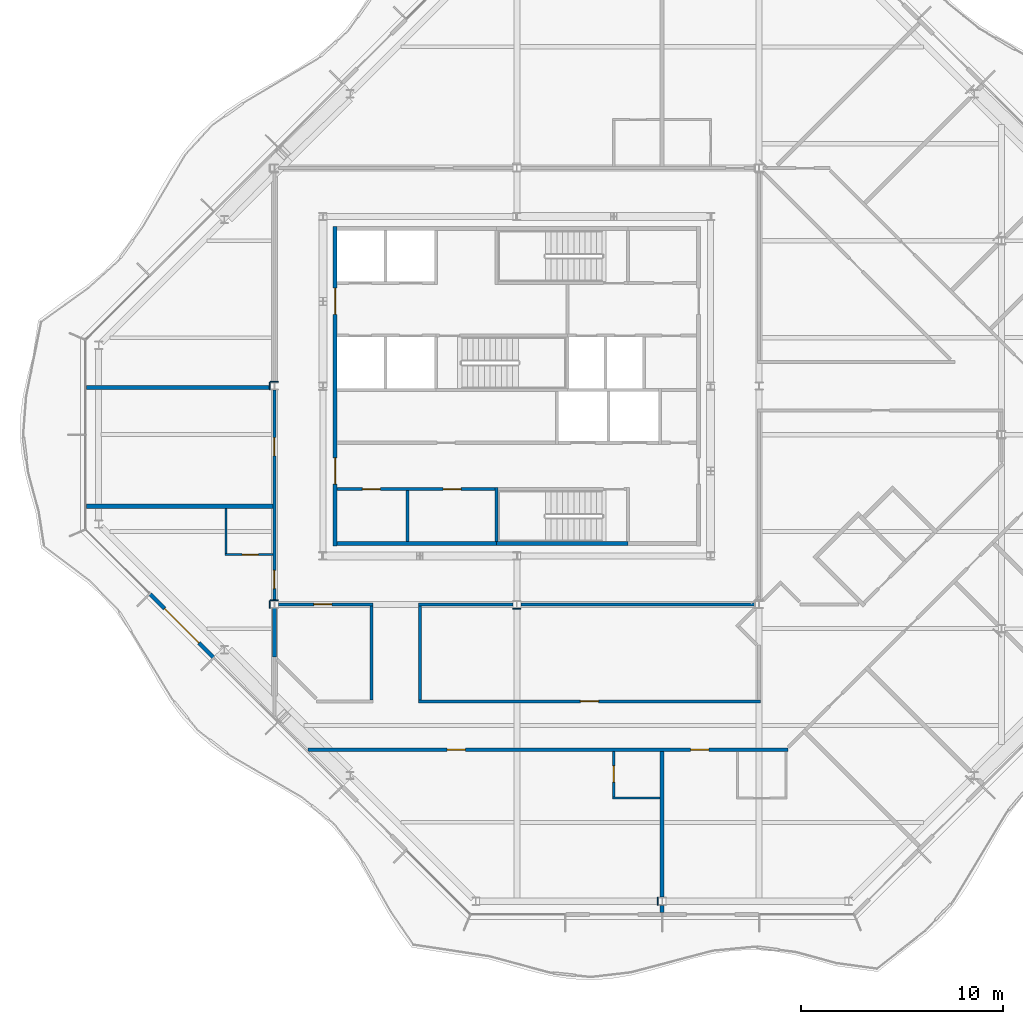
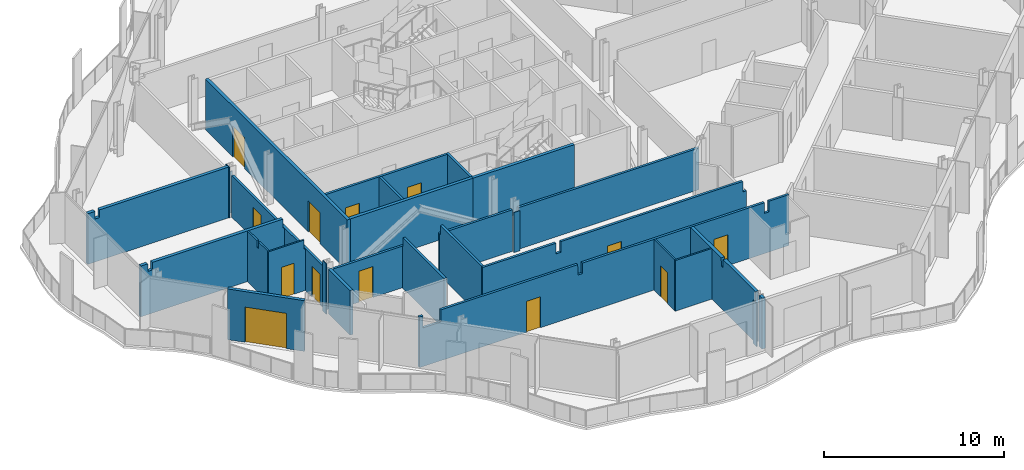
# One storey, part 7 of 17: 30 walls, 13 doors, 13 openings.
"""IFC4 building model written with IfcOpenShell, lengths in metres."""

from ifc_helpers import new_model, si_unit, direction, frame, frame_2d, origin, place, context, subcontext, project, spatial, polyline, rectangle, outline, extrude, material, layer, layer_set, type_object, element, fill, save


model = new_model("IFC4")

# Units and contexts
model_context = context("Model", 3, precision=1e-05, world=origin(), true_north=direction((0.0, 1.0)))
body_context = subcontext(model_context, "Body", "Model", "MODEL_VIEW")
ifc_project = project(units=[si_unit("LENGTHUNIT", "METRE"), si_unit("AREAUNIT", "SQUARE_METRE"), si_unit("VOLUMEUNIT", "CUBIC_METRE"), si_unit("PLANEANGLEUNIT", "RADIAN"), si_unit("MASSUNIT", "GRAM", prefix="KILO")], contexts=[model_context])

# Site, building, storey
site_placement = place(None, origin())
site = spatial("IfcSite", under=ifc_project, at=site_placement, CompositionType="ELEMENT")
building_placement = place(site_placement, origin())
building = spatial("IfcBuilding", under=site, at=building_placement, Name="Cairn Pilgrim Tower", CompositionType="ELEMENT")
storey_placement = place(building_placement, frame((0.0, 0.0, 246.60009765625)))
storey = spatial("IfcBuildingStorey", under=building, at=storey_placement, Name="L63", CompositionType="ELEMENT", Elevation=246.60009765625)

# Wall, opening, door
ifc_material_1 = material(Name="Bronze anodised aluminium insulated sandwich panel with mineral wool fill", Category="aluminium")
ifc_layer_1 = layer(ifc_material_1, 0.199951171875)
ifc_layer_set_1 = layer_set([ifc_layer_1], Name="BRONZE INFILL FRAME WALL 200")
wall_type_1 = type_object("IfcWallType", Name="BRONZE INFILL FRAME WALL 200", PredefinedType="NOTDEFINED", material=ifc_layer_set_1)
wall_1_placement = place(storey_placement, frame((-10.953125, -7.893310546875, 0.0), z_axis=(0.0, 0.0, 1.0), x_axis=(0.707106781187, -0.707106781187, 0.0)))
wall_1 = element("IfcWall", 1, at=wall_1_placement, inside=storey, type_object=wall_type_1, Name="Bronze infill frame wall IW-SW2", PredefinedType="NOTDEFINED", context=body_context, shape_type="SweptSolid", body=[
    extrude(rectangle(XDim=4.430908203125, YDim=0.199951171875, at=frame_2d((2.21533203125, 0.0))), origin(), (0.0, 0.0, 1.0), 3.449951171875),
])
opening_1_placement = place(wall_1_placement, frame((1.015380859375, 0.0, 0.0)))
opening_1 = element("IfcOpeningElement", 2, at=opening_1_placement, cuts=wall_1, Name="Opening 6314B", PredefinedType="OPENING", context=body_context, shape_type="SweptSolid", body=[
    extrude(rectangle(XDim=2.39990234375, YDim=2.39990234375, at=frame_2d((1.199951171875, 1.199951171875))), frame((0.0, 0.10986328125, 0.0), z_axis=(0.0, -1.0, 0.0), x_axis=(1.0, 0.0, 0.0)), (0.0, 0.0, 1.0), 0.219970703125),
])
ifc_material_2 = material(Name="Bronze anodised aluminium frame with tinted low-E glass", Category="aluminium")
door_type_1 = type_object("IfcDoorType", Name="BALCONY SLIDING DOOR 2400x2400", OperationType="DOUBLE_DOOR_SLIDING", PredefinedType="DOOR", material=ifc_material_2)
door_1_placement = place(opening_1_placement, origin())
door_1 = element("IfcDoor", 3, at=door_1_placement, inside=storey, type_object=door_type_1, Name="Balcony sliding door 6314B", OperationType="SINGLE_SWING_LEFT", OverallHeight=2.39990234375, OverallWidth=2.39990234375, PredefinedType="DOOR", context=body_context, shape_type="SweptSolid", body=[
    extrude(rectangle(XDim=2.39990234375, YDim=2.39990234375, at=frame_2d((1.199951171875, 1.199951171875))), frame((0.0, 0.02490234375, 0.0), z_axis=(0.0, -1.0, 0.0), x_axis=(1.0, 0.0, 0.0)), (0.0, 0.0, 1.0), 0.050048828125),
])
fill(opening_1, door_1)

# Wall
ifc_material_3 = material(Name="Concrete C32/40", Category="concrete")
ifc_layer_2 = layer(ifc_material_3, 0.199951171875)
ifc_layer_set_2 = layer_set([ifc_layer_2], Name="CORE OUTER WALL 200 EI 120")
wall_type_2 = type_object("IfcWallType", Name="CORE OUTER WALL 200 EI 120", PredefinedType="SOLIDWALL", material=ifc_layer_set_2)
wall_2_placement = place(storey_placement, frame((-1.699951171875, -5.39990234375, 0.0), z_axis=(0.0, 0.0, 1.0), x_axis=(1.0, 0.0, 0.0)))
element("IfcWall", 4, at=wall_2_placement, inside=storey, type_object=wall_type_2, Name="CW:L63:H01-1", PredefinedType="SOLIDWALL", context=body_context, shape_type="SweptSolid", body=[
    extrude(rectangle(XDim=7.89990234375, YDim=0.199951171875, at=frame_2d((3.949951171875, 0.0))), origin(), (0.0, 0.0, 1.0), 3.449951171875),
])

# Wall, openings, doors
wall_3_placement = place(storey_placement, frame((-1.800048828125, -5.5, 0.0), z_axis=(0.0, 0.0, 1.0), x_axis=(0.0, 1.0, 0.0)))
wall_3 = element("IfcWall", 5, at=wall_3_placement, inside=storey, type_object=wall_type_2, Name="CW:L63:V13", PredefinedType="SOLIDWALL", context=body_context, shape_type="SweptSolid", body=[
    extrude(rectangle(XDim=15.800048828125, YDim=0.199951171875, at=frame_2d((7.89990234375, 0.0))), origin(), (0.0, 0.0, 1.0), 3.449951171875),
])
opening_2_placement = place(wall_3_placement, frame((3.050048828125, 0.0, 0.0)))
opening_2 = element("IfcOpeningElement", 6, at=opening_2_placement, cuts=wall_3, Name="Opening CD-W1", PredefinedType="OPENING", context=body_context, shape_type="SweptSolid", body=[
    extrude(rectangle(XDim=1.300048828125, YDim=2.10009765625, at=frame_2d((0.64990234375, 1.050048828125))), frame((0.0, 0.10986328125, 0.0), z_axis=(0.0, -1.0, 0.0), x_axis=(1.0, 0.0, 0.0)), (0.0, 0.0, 1.0), 0.219970703125),
])
opening_3_placement = place(wall_3_placement, frame((11.449951171875, 0.0, 0.0)))
opening_3 = element("IfcOpeningElement", 7, at=opening_3_placement, cuts=wall_3, Name="Opening CD-W2", PredefinedType="OPENING", context=body_context, shape_type="SweptSolid", body=[
    extrude(rectangle(XDim=1.300048828125, YDim=2.10009765625, at=frame_2d((0.64990234375, 1.050048828125))), frame((0.0, 0.10986328125, 0.0), z_axis=(0.0, -1.0, 0.0), x_axis=(1.0, 0.0, 0.0)), (0.0, 0.0, 1.0), 0.219970703125),
])
ifc_material_4 = material(Name="Painted steel", Category="steel")
door_type_2 = type_object("IfcDoorType", Name="CORE LOBBY DOOR 1300x2100", OperationType="DOUBLE_DOOR_SINGLE_SWING", PredefinedType="DOOR", material=ifc_material_4)
door_2_placement = place(opening_2_placement, origin())
door_2 = element("IfcDoor", 8, at=door_2_placement, inside=storey, type_object=door_type_2, Name="CD-W1", OperationType="DOUBLE_DOOR_SINGLE_SWING", OverallHeight=2.10009765625, OverallWidth=1.300048828125, PredefinedType="DOOR", context=body_context, shape_type="SweptSolid", body=[
    extrude(rectangle(XDim=1.300048828125, YDim=2.10009765625, at=frame_2d((0.64990234375, 1.050048828125))), frame((0.0, 0.02490234375, 0.0), z_axis=(0.0, -1.0, 0.0), x_axis=(1.0, 0.0, 0.0)), (0.0, 0.0, 1.0), 0.050048828125),
])
fill(opening_2, door_2)
door_3_placement = place(opening_3_placement, origin())
door_3 = element("IfcDoor", 9, at=door_3_placement, inside=storey, type_object=door_type_2, Name="CD-W2", OperationType="DOUBLE_DOOR_SINGLE_SWING", OverallHeight=2.10009765625, OverallWidth=1.300048828125, PredefinedType="DOOR", context=body_context, shape_type="SweptSolid", body=[
    extrude(rectangle(XDim=1.300048828125, YDim=2.10009765625, at=frame_2d((0.64990234375, 1.050048828125))), frame((0.0, 0.02490234375, 0.0), z_axis=(0.0, -1.0, 0.0), x_axis=(1.0, 0.0, 0.0)), (0.0, 0.0, 1.0), 0.050048828125),
])
fill(opening_3, door_3)

ifc_layer_3 = layer(ifc_material_3, 0.14990234375)
ifc_layer_set_3 = layer_set([ifc_layer_3], Name="CORE PARTITION 150 EI 60")
wall_type_3 = type_object("IfcWallType", Name="CORE PARTITION 150 EI 60", PredefinedType="PARTITIONING", material=ifc_layer_set_3)
wall_4_placement = place(storey_placement, frame((-1.699951171875, -2.699951171875, 0.0), z_axis=(0.0, 0.0, 1.0), x_axis=(1.0, 0.0, 0.0)))
wall_4 = element("IfcWall", 10, at=wall_4_placement, inside=storey, type_object=wall_type_3, Name="CW:L63:H02", PredefinedType="PARTITIONING", context=body_context, shape_type="SweptSolid", body=[
    extrude(rectangle(XDim=7.824951171875, YDim=0.14990234375, at=frame_2d((3.91259765625, 0.0))), origin(), (0.0, 0.0, 1.0), 3.449951171875),
])
opening_4_placement = place(wall_4_placement, frame((1.25, 0.0, 0.0)))
opening_4 = element("IfcOpeningElement", 11, at=opening_4_placement, cuts=wall_4, Name="Opening RD-R1W1", PredefinedType="OPENING", context=body_context, shape_type="SweptSolid", body=[
    extrude(rectangle(XDim=0.89990234375, YDim=2.10009765625, at=frame_2d((0.449951171875, 1.050048828125))), frame((0.0, 0.0849609375, 0.0), z_axis=(0.0, -1.0, 0.0), x_axis=(1.0, 0.0, 0.0)), (0.0, 0.0, 1.0), 0.169921875),
])
opening_5_placement = place(wall_4_placement, frame((5.25, 0.0, 0.0)))
opening_5 = element("IfcOpeningElement", 12, at=opening_5_placement, cuts=wall_4, Name="Opening RD-R1W2", PredefinedType="OPENING", context=body_context, shape_type="SweptSolid", body=[
    extrude(rectangle(XDim=0.89990234375, YDim=2.10009765625, at=frame_2d((0.449951171875, 1.050048828125))), frame((0.0, 0.0849609375, 0.0), z_axis=(0.0, -1.0, 0.0), x_axis=(1.0, 0.0, 0.0)), (0.0, 0.0, 1.0), 0.169921875),
])
door_type_3 = type_object("IfcDoorType", Name="SERVICE ROOM DOOR 900x2100", OperationType="SINGLE_SWING_LEFT", PredefinedType="DOOR", material=ifc_material_4)
door_4_placement = place(opening_4_placement, origin())
door_4 = element("IfcDoor", 13, at=door_4_placement, inside=storey, type_object=door_type_3, Name="RD-R1W1", OperationType="SINGLE_SWING_RIGHT", OverallHeight=2.10009765625, OverallWidth=0.89990234375, PredefinedType="DOOR", context=body_context, shape_type="SweptSolid", body=[
    extrude(rectangle(XDim=0.89990234375, YDim=2.10009765625, at=frame_2d((0.449951171875, 1.050048828125))), frame((0.0, 0.02490234375, 0.0), z_axis=(0.0, -1.0, 0.0), x_axis=(1.0, 0.0, 0.0)), (0.0, 0.0, 1.0), 0.050048828125),
])
fill(opening_4, door_4)
door_5_placement = place(opening_5_placement, origin())
door_5 = element("IfcDoor", 14, at=door_5_placement, inside=storey, type_object=door_type_3, Name="RD-R1W2", OperationType="SINGLE_SWING_LEFT", OverallHeight=2.10009765625, OverallWidth=0.89990234375, PredefinedType="DOOR", context=body_context, shape_type="SweptSolid", body=[
    extrude(rectangle(XDim=0.89990234375, YDim=2.10009765625, at=frame_2d((0.449951171875, 1.050048828125))), frame((0.0, 0.02490234375, 0.0), z_axis=(0.0, -1.0, 0.0), x_axis=(1.0, 0.0, 0.0)), (0.0, 0.0, 1.0), 0.050048828125),
])
fill(opening_5, door_5)

# Walls
wall_5_placement = place(storey_placement, frame((1.800048828125, -5.300048828125, 0.0), z_axis=(0.0, 0.0, 1.0), x_axis=(0.0, 1.0, 0.0)))
element("IfcWall", 15, at=wall_5_placement, inside=storey, type_object=wall_type_3, Name="CW:L63:V16", PredefinedType="PARTITIONING", context=body_context, shape_type="SweptSolid", body=[
    extrude(rectangle(XDim=2.525146484375, YDim=0.14990234375, at=frame_2d((1.2626953125, 0.0))), origin(), (0.0, 0.0, 1.0), 3.449951171875),
])
ifc_material_5 = material(Name="Gypsum partition")
ifc_layer_4 = layer(ifc_material_5, 0.10009765625)
ifc_layer_set_4 = layer_set([ifc_layer_4], Name="PARTITION 100 DRYWALL")
wall_type_4 = type_object("IfcWallType", Name="PARTITION 100 DRYWALL", PredefinedType="PARTITIONING", material=ifc_layer_set_4)
wall_6_placement = place(storey_placement, frame((11.949951171875, -18.0, 0.0), z_axis=(0.0, 0.0, 1.0), x_axis=(1.0, 0.0, 0.0)))
element("IfcWall", 16, at=wall_6_placement, inside=storey, type_object=wall_type_4, Name="PARTITION W004", PredefinedType="PARTITIONING", context=body_context, shape_type="SweptSolid", body=[
    extrude(rectangle(XDim=2.35009765625, YDim=0.10009765625, at=frame_2d((1.175048828125, 0.0))), origin(), (0.0, 0.0, 1.0), 3.449951171875),
])

# Wall, opening, door
wall_7_placement = place(storey_placement, frame((12.0, -17.949951171875, 0.0), z_axis=(0.0, 0.0, 1.0), x_axis=(0.0, 1.0, 0.0)))
wall_7 = element("IfcWall", 17, at=wall_7_placement, inside=storey, type_object=wall_type_4, Name="PARTITION W006", PredefinedType="PARTITIONING", context=body_context, shape_type="SweptSolid", body=[
    extrude(rectangle(XDim=2.27490234375, YDim=0.10009765625, at=frame_2d((1.137451171875, 0.0))), origin(), (0.0, 0.0, 1.0), 3.449951171875),
])
opening_6_placement = place(wall_7_placement, frame((0.75, 0.0, 0.0)))
opening_6 = element("IfcOpeningElement", 18, at=opening_6_placement, cuts=wall_7, Name="Opening 6315A", PredefinedType="OPENING", context=body_context, shape_type="SweptSolid", body=[
    extrude(rectangle(XDim=0.800048828125, YDim=2.10009765625, at=frame_2d((0.39990234375, 1.050048828125))), frame((0.0, 0.06005859375, 0.0), z_axis=(0.0, -1.0, 0.0), x_axis=(1.0, 0.0, 0.0)), (0.0, 0.0, 1.0), 0.1201171875),
])
ifc_material_6 = material(Name="Timber door leaf", Category="wood")
door_type_4 = type_object("IfcDoorType", Name="WC DOOR 800x2100", OperationType="NOTDEFINED", PredefinedType="DOOR", material=ifc_material_6)
door_6_placement = place(opening_6_placement, origin())
door_6 = element("IfcDoor", 19, at=door_6_placement, inside=storey, type_object=door_type_4, Name="DOOR 6315A", OperationType="SINGLE_SWING_LEFT", OverallHeight=2.10009765625, OverallWidth=0.800048828125, PredefinedType="DOOR", context=body_context, shape_type="SweptSolid", body=[
    extrude(rectangle(XDim=0.800048828125, YDim=2.10009765625, at=frame_2d((0.39990234375, 1.050048828125))), frame((0.0, 0.02490234375, 0.0), z_axis=(0.0, -1.0, 0.0), x_axis=(1.0, 0.0, 0.0)), (0.0, 0.0, 1.0), 0.050048828125),
])
fill(opening_6, door_6)

wall_8_placement = place(storey_placement, frame((-7.25, -5.944091796875, 0.0), z_axis=(0.0, 0.0, 1.0), x_axis=(1.0, 0.0, 0.0)))
wall_8 = element("IfcWall", 20, at=wall_8_placement, inside=storey, type_object=wall_type_4, Name="PARTITION W043", PredefinedType="PARTITIONING", context=body_context, shape_type="SweptSolid", body=[
    extrude(outline(polyline([(0.0, 0.0), (2.375, 0.0), (2.375, 2.829833984375), (2.300048828125, 2.829833984375), (2.298095703125, 3.449951171875), (0.0, 3.449951171875), (0.0, 0.0)])), frame((0.0, 0.050048828125, 0.0), z_axis=(0.0, -1.0, 0.0), x_axis=(1.0, 0.0, 0.0)), (0.0, 0.0, 1.0), 0.10009765625),
])
opening_7_placement = place(wall_8_placement, frame((0.85009765625, 0.0, 0.0)))
opening_7 = element("IfcOpeningElement", 21, at=opening_7_placement, cuts=wall_8, Name="Opening 6314A", PredefinedType="OPENING", context=body_context, shape_type="SweptSolid", body=[
    extrude(rectangle(XDim=0.800048828125, YDim=2.10009765625, at=frame_2d((0.39990234375, 1.050048828125))), frame((0.0, 0.06005859375, 0.0), z_axis=(0.0, -1.0, 0.0), x_axis=(1.0, 0.0, 0.0)), (0.0, 0.0, 1.0), 0.1201171875),
])
door_7_placement = place(opening_7_placement, frame((0.800048828125, 0.0, 0.0), z_axis=(0.0, 0.0, 1.0), x_axis=(-1.0, 0.0, 0.0)))
door_7 = element("IfcDoor", 22, at=door_7_placement, inside=storey, type_object=door_type_4, Name="DOOR 6314A", OperationType="SINGLE_SWING_LEFT", OverallHeight=2.10009765625, OverallWidth=0.800048828125, PredefinedType="DOOR", context=body_context, shape_type="SweptSolid", body=[
    extrude(rectangle(XDim=0.800048828125, YDim=2.10009765625, at=frame_2d((0.39990234375, 1.050048828125))), frame((0.0, 0.02490234375, 0.0), z_axis=(0.0, -1.0, 0.0), x_axis=(1.0, 0.0, 0.0)), (0.0, 0.0, 1.0), 0.050048828125),
])
fill(opening_7, door_7)

# Wall
wall_9_placement = place(storey_placement, frame((-7.199951171875, -5.89404296875, 0.0), z_axis=(0.0, 0.0, 1.0), x_axis=(0.0, 1.0, 0.0)))
element("IfcWall", 23, at=wall_9_placement, inside=storey, type_object=wall_type_4, Name="PARTITION W044", PredefinedType="PARTITIONING", context=body_context, shape_type="SweptSolid", body=[
    extrude(outline(polyline([(0.0, 0.0), (2.25, 0.0), (2.25, 3.449951171875), (1.18896484375, 3.449951171875), (1.18701171875, 2.97998046875), (0.9990234375, 2.97998046875), (0.9970703125, 3.449951171875), (0.0, 3.449951171875), (0.0, 0.0)])), frame((0.0, 0.050048828125, 0.0), z_axis=(0.0, -1.0, 0.0), x_axis=(1.0, 0.0, 0.0)), (0.0, 0.0, 1.0), 0.10009765625),
])

# Wall, openings, doors
ifc_layer_5 = layer(ifc_material_5, 0.14990234375)
ifc_layer_set_5 = layer_set([ifc_layer_5], Name="PARTITION 150 DRYWALL EI 60")
wall_type_5 = type_object("IfcWallType", Name="PARTITION 150 DRYWALL EI 60", PredefinedType="PARTITIONING", material=ifc_layer_set_5)
wall_10_placement = place(storey_placement, frame((-3.126220703125, -15.60009765625, 0.0), z_axis=(0.0, 0.0, 1.0), x_axis=(1.0, 0.0, 0.0)))
wall_10 = element("IfcWall", 24, at=wall_10_placement, inside=storey, type_object=wall_type_5, Name="PARTITION W011", PredefinedType="PARTITIONING", context=body_context, shape_type="SweptSolid", body=[
    extrude(outline(polyline([(0.0, 0.0), (23.75341796875, 0.0), (23.753173828125, 3.449951171875), (22.47607421875, 3.449951171875), (22.47412109375, 2.72998046875), (22.176025390625, 2.72998046875), (22.174072265625, 3.449951171875), (10.47607421875, 3.449951171875), (10.47412109375, 2.72998046875), (10.176025390625, 2.72998046875), (10.174072265625, 3.449951171875), (1.368896484375, 3.449951171875), (1.366943359375, 2.6298828125), (0.22900390625, 2.6298828125), (0.226806640625, 3.449951171875), (0.0, 3.449951171875), (0.0, 0.0)])), frame((0.0, 0.074951171875, 0.0), z_axis=(0.0, -1.0, 0.0), x_axis=(1.0, 0.0, 0.0)), (0.0, 0.0, 1.0), 0.14990234375),
])
opening_8_placement = place(wall_10_placement, frame((18.93701171875, 0.0, 0.0)))
opening_8 = element("IfcOpeningElement", 25, at=opening_8_placement, cuts=wall_10, Name="Opening 6301", PredefinedType="OPENING", context=body_context, shape_type="SweptSolid", body=[
    extrude(rectangle(XDim=0.89990234375, YDim=2.10009765625, at=frame_2d((0.449951171875, 1.050048828125))), frame((0.0, 0.0849609375, 0.0), z_axis=(0.0, -1.0, 0.0), x_axis=(1.0, 0.0, 0.0)), (0.0, 0.0, 1.0), 0.169921875),
])
opening_9_placement = place(wall_10_placement, frame((6.8759765625, 0.0, 0.0)))
opening_9 = element("IfcOpeningElement", 26, at=opening_9_placement, cuts=wall_10, Name="Opening 6315", PredefinedType="OPENING", context=body_context, shape_type="SweptSolid", body=[
    extrude(rectangle(XDim=0.89990234375, YDim=2.10009765625, at=frame_2d((0.449951171875, 1.050048828125))), frame((0.0, 0.0849609375, 0.0), z_axis=(0.0, -1.0, 0.0), x_axis=(1.0, 0.0, 0.0)), (0.0, 0.0, 1.0), 0.169921875),
])
door_type_5 = type_object("IfcDoorType", Name="ROOM DOOR 900x2100 FD30S", OperationType="NOTDEFINED", PredefinedType="DOOR", material=ifc_material_6)
door_8_placement = place(opening_8_placement, frame((0.89990234375, 0.0, 0.0), z_axis=(0.0, 0.0, 1.0), x_axis=(-1.0, 0.0, 0.0)))
door_8 = element("IfcDoor", 27, at=door_8_placement, inside=storey, type_object=door_type_5, Name="DOOR 6301", OperationType="SINGLE_SWING_RIGHT", OverallHeight=2.10009765625, OverallWidth=0.89990234375, PredefinedType="DOOR", context=body_context, shape_type="SweptSolid", body=[
    extrude(rectangle(XDim=0.89990234375, YDim=2.10009765625, at=frame_2d((0.449951171875, 1.050048828125))), frame((0.0, 0.02490234375, 0.0), z_axis=(0.0, -1.0, 0.0), x_axis=(1.0, 0.0, 0.0)), (0.0, 0.0, 1.0), 0.050048828125),
])
fill(opening_8, door_8)
door_9_placement = place(opening_9_placement, frame((0.89990234375, 0.0, 0.0), z_axis=(0.0, 0.0, 1.0), x_axis=(-1.0, 0.0, 0.0)))
door_9 = element("IfcDoor", 28, at=door_9_placement, inside=storey, type_object=door_type_5, Name="DOOR 6315", OperationType="SINGLE_SWING_LEFT", OverallHeight=2.10009765625, OverallWidth=0.89990234375, PredefinedType="DOOR", context=body_context, shape_type="SweptSolid", body=[
    extrude(rectangle(XDim=0.89990234375, YDim=2.10009765625, at=frame_2d((0.449951171875, 1.050048828125))), frame((0.0, 0.02490234375, 0.0), z_axis=(0.0, -1.0, 0.0), x_axis=(1.0, 0.0, 0.0)), (0.0, 0.0, 1.0), 0.050048828125),
])
fill(opening_9, door_9)

# Wall, opening, door
wall_11_placement = place(storey_placement, frame((2.324951171875, -13.199951171875, 0.0), z_axis=(0.0, 0.0, 1.0), x_axis=(1.0, 0.0, 0.0)))
wall_11 = element("IfcWall", 29, at=wall_11_placement, inside=storey, type_object=wall_type_5, Name="PARTITION W016", PredefinedType="PARTITIONING", context=body_context, shape_type="SweptSolid", body=[
    extrude(outline(polyline([(0.0, 0.0), (16.949951171875, 0.0), (16.949951171875, 2.72998046875), (16.72509765625, 2.72998046875), (16.722900390625, 3.449951171875), (5.02490234375, 3.449951171875), (5.02294921875, 2.72998046875), (4.72509765625, 2.72998046875), (4.722900390625, 3.449951171875), (0.0, 3.449951171875), (0.0, 0.0)])), frame((0.0, 0.074951171875, 0.0), z_axis=(0.0, -1.0, 0.0), x_axis=(1.0, 0.0, 0.0)), (0.0, 0.0, 1.0), 0.14990234375),
])
opening_10_placement = place(wall_11_placement, frame((8.02490234375, 0.0, 0.0)))
opening_10 = element("IfcOpeningElement", 30, at=opening_10_placement, cuts=wall_11, Name="Opening 6321", PredefinedType="OPENING", context=body_context, shape_type="SweptSolid", body=[
    extrude(rectangle(XDim=0.89990234375, YDim=2.10009765625, at=frame_2d((0.449951171875, 1.050048828125))), frame((0.0, 0.0849609375, 0.0), z_axis=(0.0, -1.0, 0.0), x_axis=(1.0, 0.0, 0.0)), (0.0, 0.0, 1.0), 0.169921875),
])
door_type_6 = type_object("IfcDoorType", Name="SERVICE DOOR 900x2100 FD30S", OperationType="NOTDEFINED", PredefinedType="DOOR", material=ifc_material_6)
door_10_placement = place(opening_10_placement, origin())
door_10 = element("IfcDoor", 31, at=door_10_placement, inside=storey, type_object=door_type_6, Name="DOOR 6321", OperationType="SINGLE_SWING_RIGHT", OverallHeight=2.10009765625, OverallWidth=0.89990234375, PredefinedType="DOOR", context=body_context, shape_type="SweptSolid", body=[
    extrude(rectangle(XDim=0.89990234375, YDim=2.10009765625, at=frame_2d((0.449951171875, 1.050048828125))), frame((0.0, 0.02490234375, 0.0), z_axis=(0.0, -1.0, 0.0), x_axis=(1.0, 0.0, 0.0)), (0.0, 0.0, 1.0), 0.050048828125),
])
fill(opening_10, door_10)

# Walls
for number, where, z_axis, x_axis, name in (
    (32, (0.0, -13.125, 0.0), (0.0, 0.0, 1.0), (0.0, 1.0, 0.0), "PARTITION W018"),
    (33, (2.39990234375, -13.125, 0.0), (0.0, 0.0, 1.0), (0.0, 1.0, 0.0), "PARTITION W019"),
):
    element("IfcWall", number, at=place(storey_placement, frame(where, z_axis=z_axis, x_axis=x_axis)), inside=storey, type_object=wall_type_5, Name=name, PredefinedType="PARTITIONING", context=body_context, shape_type="SweptSolid", body=[
        extrude(outline(polyline([(0.0, 0.0), (4.64990234375, 0.0), (4.64990234375, 2.829833984375), (4.574951171875, 2.829833984375), (4.572998046875, 3.449951171875), (0.0, 3.449951171875), (0.0, 0.0)])), frame((0.0, 0.074951171875, 0.0), z_axis=(0.0, -1.0, 0.0), x_axis=(1.0, 0.0, 0.0)), (0.0, 0.0, 1.0), 0.14990234375),
    ])

# Wall, opening, door
wall_12_placement = place(storey_placement, frame((-4.60302734375, -8.39990234375, 0.0), z_axis=(0.0, 0.0, 1.0), x_axis=(1.0, 0.0, 0.0)))
wall_12 = element("IfcWall", 34, at=wall_12_placement, inside=storey, type_object=wall_type_5, Name="PARTITION W030", PredefinedType="PARTITIONING", context=body_context, shape_type="SweptSolid", body=[
    extrude(rectangle(XDim=4.677978515625, YDim=0.14990234375, at=frame_2d((2.3388671875, 0.0))), origin(), (0.0, 0.0, 1.0), 2.829833984375),
])
opening_11_placement = place(wall_12_placement, frame((1.7529296875, 0.0, 0.0)))
opening_11 = element("IfcOpeningElement", 35, at=opening_11_placement, cuts=wall_12, Name="Opening 6320", PredefinedType="OPENING", context=body_context, shape_type="SweptSolid", body=[
    extrude(rectangle(XDim=0.89990234375, YDim=2.10009765625, at=frame_2d((0.449951171875, 1.050048828125))), frame((0.0, 0.0849609375, 0.0), z_axis=(0.0, -1.0, 0.0), x_axis=(1.0, 0.0, 0.0)), (0.0, 0.0, 1.0), 0.169921875),
])
door_11_placement = place(opening_11_placement, frame((0.89990234375, 0.0, 0.0), z_axis=(0.0, 0.0, 1.0), x_axis=(-1.0, 0.0, 0.0)))
door_11 = element("IfcDoor", 36, at=door_11_placement, inside=storey, type_object=door_type_6, Name="DOOR 6320", OperationType="SINGLE_SWING_RIGHT", OverallHeight=2.10009765625, OverallWidth=0.89990234375, PredefinedType="DOOR", context=body_context, shape_type="SweptSolid", body=[
    extrude(rectangle(XDim=0.89990234375, YDim=2.10009765625, at=frame_2d((0.449951171875, 1.050048828125))), frame((0.0, 0.02490234375, 0.0), z_axis=(0.0, -1.0, 0.0), x_axis=(1.0, 0.0, 0.0)), (0.0, 0.0, 1.0), 0.050048828125),
])
fill(opening_11, door_11)

# Walls
wall_13_placement = place(storey_placement, frame((2.324951171875, -8.39990234375, 0.0), z_axis=(0.0, 0.0, 1.0), x_axis=(1.0, 0.0, 0.0)))
element("IfcWall", 37, at=wall_13_placement, inside=storey, type_object=wall_type_5, Name="PARTITION W031", PredefinedType="PARTITIONING", context=body_context, shape_type="SweptSolid", body=[
    extrude(rectangle(XDim=4.677978515625, YDim=0.14990234375, at=frame_2d((2.3388671875, 0.0))), origin(), (0.0, 0.0, 1.0), 2.829833984375),
])
wall_14_placement = place(storey_placement, frame((7.39697265625, -8.39990234375, 0.0), z_axis=(0.0, 0.0, 1.0), x_axis=(1.0, 0.0, 0.0)))
element("IfcWall", 38, at=wall_14_placement, inside=storey, type_object=wall_type_5, Name="PARTITION W032", PredefinedType="PARTITIONING", context=body_context, shape_type="SweptSolid", body=[
    extrude(rectangle(XDim=11.60595703125, YDim=0.14990234375, at=frame_2d((5.802978515625, 0.0))), origin(), (0.0, 0.0, 1.0), 2.829833984375),
])

# Wall, openings, doors
wall_15_placement = place(storey_placement, frame((-4.800048828125, -8.21240234375, 0.0), z_axis=(0.0, 0.0, 1.0), x_axis=(0.0, 1.0, 0.0)))
wall_15 = element("IfcWall", 39, at=wall_15_placement, inside=storey, type_object=wall_type_5, Name="PARTITION W036", PredefinedType="PARTITIONING", context=body_context, shape_type="SweptSolid", body=[
    extrude(rectangle(XDim=10.4248046875, YDim=0.14990234375, at=frame_2d((5.21240234375, 0.0))), origin(), (0.0, 0.0, 1.0), 2.829833984375),
])
opening_12_placement = place(wall_15_placement, frame((7.16259765625, 0.0, 0.0)))
opening_12 = element("IfcOpeningElement", 40, at=opening_12_placement, cuts=wall_15, Name="Opening 6313", PredefinedType="OPENING", context=body_context, shape_type="SweptSolid", body=[
    extrude(rectangle(XDim=0.89990234375, YDim=2.10009765625, at=frame_2d((0.449951171875, 1.050048828125))), frame((0.0, 0.0849609375, 0.0), z_axis=(0.0, -1.0, 0.0), x_axis=(1.0, 0.0, 0.0)), (0.0, 0.0, 1.0), 0.169921875),
])
opening_13_placement = place(wall_15_placement, frame((0.590576171875, 0.0, 0.0)))
opening_13 = element("IfcOpeningElement", 41, at=opening_13_placement, cuts=wall_15, Name="Opening 6314", PredefinedType="OPENING", context=body_context, shape_type="SweptSolid", body=[
    extrude(rectangle(XDim=0.89990234375, YDim=2.10009765625, at=frame_2d((0.449951171875, 1.050048828125))), frame((0.0, 0.0849609375, 0.0), z_axis=(0.0, -1.0, 0.0), x_axis=(1.0, 0.0, 0.0)), (0.0, 0.0, 1.0), 0.169921875),
])
door_12_placement = place(opening_13_placement, origin())
door_12 = element("IfcDoor", 42, at=door_12_placement, inside=storey, type_object=door_type_5, Name="DOOR 6314", OperationType="SINGLE_SWING_LEFT", OverallHeight=2.10009765625, OverallWidth=0.89990234375, PredefinedType="DOOR", context=body_context, shape_type="SweptSolid", body=[
    extrude(rectangle(XDim=0.89990234375, YDim=2.10009765625, at=frame_2d((0.449951171875, 1.050048828125))), frame((0.0, 0.02490234375, 0.0), z_axis=(0.0, -1.0, 0.0), x_axis=(1.0, 0.0, 0.0)), (0.0, 0.0, 1.0), 0.050048828125),
])
fill(opening_13, door_12)
door_13_placement = place(opening_12_placement, origin())
door_13 = element("IfcDoor", 43, at=door_13_placement, inside=storey, type_object=door_type_6, Name="DOOR 6313", OperationType="SINGLE_SWING_LEFT", OverallHeight=2.10009765625, OverallWidth=0.89990234375, PredefinedType="DOOR", context=body_context, shape_type="SweptSolid", body=[
    extrude(rectangle(XDim=0.89990234375, YDim=2.10009765625, at=frame_2d((0.449951171875, 1.050048828125))), frame((0.0, 0.02490234375, 0.0), z_axis=(0.0, -1.0, 0.0), x_axis=(1.0, 0.0, 0.0)), (0.0, 0.0, 1.0), 0.050048828125),
])
fill(opening_12, door_13)

# Walls
ifc_layer_6 = layer(ifc_material_5, 0.050048828125)
ifc_layer_set_6 = layer_set([ifc_layer_6], Name="PARTITION 50 DRYWALL EI 60")
wall_type_6 = type_object("IfcWallType", Name="PARTITION 50 DRYWALL EI 60", PredefinedType="PARTITIONING", material=ifc_layer_set_6)
wall_16_placement = place(storey_placement, frame((14.173095703125, -23.303466796875, 0.0), z_axis=(0.0, 0.0, 1.0), x_axis=(0.0, 1.0, 0.0)))
element("IfcWall", 44, at=wall_16_placement, inside=storey, type_object=wall_type_6, Name="COLUMN CASING WC01", PredefinedType="PARTITIONING", context=body_context, shape_type="SweptSolid", body=[
    extrude(rectangle(XDim=0.406982421875, YDim=0.050048828125, at=frame_2d((0.20361328125, 0.0))), origin(), (0.0, 0.0, 1.0), 2.929931640625),
])
for number, where, z_axis, x_axis, name in (
    (45, (-5.02197265625, -8.58740234375, 0.0), (0.0, 0.0, 1.0), (0.0, 1.0, 0.0), "COLUMN CASING WC05"),
    (46, (-5.02197265625, 2.21240234375, 0.0), (0.0, 0.0, 1.0), (0.0, 1.0, 0.0), "COLUMN CASING WC07"),
):
    element("IfcWall", number, at=place(storey_placement, frame(where, z_axis=z_axis, x_axis=x_axis)), inside=storey, type_object=wall_type_6, Name=name, PredefinedType="PARTITIONING", context=body_context, shape_type="SweptSolid", body=[
        extrude(rectangle(XDim=0.375, YDim=0.050048828125, at=frame_2d((0.1875, 0.0))), origin(), (0.0, 0.0, 1.0), 3.449951171875),
    ])
wall_17_placement = place(storey_placement, frame((-4.9970703125, -8.1875, 0.0), z_axis=(0.0, 0.0, 1.0), x_axis=(1.0, 0.0, 0.0)))
element("IfcWall", 47, at=wall_17_placement, inside=storey, type_object=wall_type_6, Name="COLUMN CASING WC09", PredefinedType="PARTITIONING", context=body_context, shape_type="SweptSolid", body=[
    extrude(rectangle(XDim=0.39404296875, YDim=0.050048828125, at=frame_2d((0.197021484375, 0.0))), origin(), (0.0, 0.0, 1.0), 2.829833984375),
])
wall_18_placement = place(storey_placement, frame((7.0029296875, -8.612548828125, 0.0), z_axis=(0.0, 0.0, 1.0), x_axis=(1.0, 0.0, 0.0)))
element("IfcWall", 48, at=wall_18_placement, inside=storey, type_object=wall_type_6, Name="COLUMN CASING WC10", PredefinedType="PARTITIONING", context=body_context, shape_type="SweptSolid", body=[
    extrude(rectangle(XDim=0.39404296875, YDim=0.050048828125, at=frame_2d((0.197021484375, 0.0))), origin(), (0.0, 0.0, 1.0), 2.72998046875),
])
wall_19_placement = place(storey_placement, frame((-4.9970703125, 2.612548828125, 0.0), z_axis=(0.0, 0.0, 1.0), x_axis=(1.0, 0.0, 0.0)))
element("IfcWall", 49, at=wall_19_placement, inside=storey, type_object=wall_type_6, Name="COLUMN CASING WC14", PredefinedType="PARTITIONING", context=body_context, shape_type="SweptSolid", body=[
    extrude(rectangle(XDim=0.39404296875, YDim=0.050048828125, at=frame_2d((0.197021484375, 0.0))), origin(), (0.0, 0.0, 1.0), 2.829833984375),
])
ifc_layer_7 = layer(ifc_material_5, 0.199951171875)
ifc_layer_set_7 = layer_set([ifc_layer_7], Name="SHAFT WALL 200 GYPSUM EI 60")
wall_type_7 = type_object("IfcWallType", Name="SHAFT WALL 200 GYPSUM EI 60", PredefinedType="PARTITIONING", material=ifc_layer_set_7)
wall_20_placement = place(storey_placement, frame((14.39990234375, -23.64990234375, 0.0), z_axis=(0.0, 0.0, 1.0), x_axis=(0.0, 1.0, 0.0)))
element("IfcWall", 50, at=wall_20_placement, inside=storey, type_object=wall_type_7, Name="PARTITION W001", PredefinedType="PARTITIONING", context=body_context, shape_type="SweptSolid", body=[
    extrude(rectangle(XDim=0.346435546875, YDim=0.199951171875, at=frame_2d((0.17333984375, 0.0))), origin(), (0.0, 0.0, 1.0), 3.449951171875),
])
wall_21_placement = place(storey_placement, frame((14.39990234375, -22.896484375, 0.0), z_axis=(0.0, 0.0, 1.0), x_axis=(0.0, 1.0, 0.0)))
element("IfcWall", 51, at=wall_21_placement, inside=storey, type_object=wall_type_7, Name="PARTITION W002", PredefinedType="PARTITIONING", context=body_context, shape_type="SweptSolid", body=[
    extrude(outline(polyline([(0.0, 0.0), (7.221435546875, 0.0), (7.221435546875, 3.449951171875), (3.801513671875, 3.449951171875), (3.799560546875, 2.8798828125), (3.591552734375, 2.8798828125), (3.589599609375, 3.449951171875), (0.0, 3.449951171875), (0.0, 0.0)])), frame((0.0, 0.10009765625, 0.0), z_axis=(0.0, -1.0, 0.0), x_axis=(1.0, 0.0, 0.0)), (0.0, 0.0, 1.0), 0.199951171875),
])
wall_22_placement = place(storey_placement, frame((-4.800048828125, -11.006103515625, 0.0), z_axis=(0.0, 0.0, 1.0), x_axis=(0.0, 1.0, 0.0)))
element("IfcWall", 52, at=wall_22_placement, inside=storey, type_object=wall_type_7, Name="PARTITION W024", PredefinedType="PARTITIONING", context=body_context, shape_type="SweptSolid", body=[
    extrude(rectangle(XDim=2.418701171875, YDim=0.199951171875, at=frame_2d((1.20947265625, 0.0))), origin(), (0.0, 0.0, 1.0), 3.02978515625),
])
wall_23_placement = place(storey_placement, frame((-14.10302734375, -3.5439453125, 0.0), z_axis=(0.0, 0.0, 1.0), x_axis=(1.0, 0.0, 0.0)))
element("IfcWall", 53, at=wall_23_placement, inside=storey, type_object=wall_type_7, Name="PARTITION W049", PredefinedType="PARTITIONING", context=body_context, shape_type="SweptSolid", body=[
    extrude(outline(polyline([(0.0, 0.0), (9.22802734375, 0.0), (9.22802734375, 2.829833984375), (9.153076171875, 2.829833984375), (9.15087890625, 3.449951171875), (0.7529296875, 3.449951171875), (0.7509765625, 2.929931640625), (0.452880859375, 2.929931640625), (0.450927734375, 3.449951171875), (0.0, 3.449951171875), (0.0, 0.0)])), frame((0.0, 0.10009765625, 0.0), z_axis=(0.0, -1.0, 0.0), x_axis=(1.0, 0.0, 0.0)), (0.0, 0.0, 1.0), 0.199951171875),
])
wall_24_placement = place(storey_placement, frame((-14.10302734375, 2.343994140625, 0.0), z_axis=(0.0, 0.0, 1.0), x_axis=(1.0, 0.0, 0.0)))
element("IfcWall", 54, at=wall_24_placement, inside=storey, type_object=wall_type_7, Name="PARTITION W060", PredefinedType="PARTITIONING", context=body_context, shape_type="SweptSolid", body=[
    extrude(outline(polyline([(0.0, 0.0), (9.10595703125, 0.0), (9.10595703125, 3.449951171875), (0.7529296875, 3.449951171875), (0.7509765625, 2.929931640625), (0.452880859375, 2.929931640625), (0.450927734375, 3.449951171875), (0.0, 3.449951171875), (0.0, 0.0)])), frame((0.0, 0.10009765625, 0.0), z_axis=(0.0, -1.0, 0.0), x_axis=(1.0, 0.0, 0.0)), (0.0, 0.0, 1.0), 0.199951171875),
])
ifc_material_7 = material(Name="Concrete C35/45", Category="concrete")
ifc_layer_8 = layer(ifc_material_7, 0.14990234375)
ifc_layer_set_8 = layer_set([ifc_layer_8], Name="STAIR SHAFT WALL 150 EI 120")
wall_type_8 = type_object("IfcWallType", Name="STAIR SHAFT WALL 150 EI 120", PredefinedType="SOLIDWALL", material=ifc_layer_set_8)
wall_25_placement = place(storey_placement, frame((6.199951171875, -5.300048828125, 0.0), z_axis=(0.0, 0.0, 1.0), x_axis=(0.0, 1.0, 0.0)))
element("IfcWall", 55, at=wall_25_placement, inside=storey, type_object=wall_type_8, Name="CW:L63:V19", PredefinedType="SOLIDWALL", context=body_context, shape_type="SweptSolid", body=[
    extrude(rectangle(XDim=2.675048828125, YDim=0.14990234375, at=frame_2d((1.33740234375, 0.0))), origin(), (0.0, 0.0, 1.0), 3.449951171875),
])
ifc_layer_9 = layer(ifc_material_7, 0.199951171875)
ifc_layer_set_9 = layer_set([ifc_layer_9], Name="STAIR SHAFT WALL 200 EI 120")
wall_type_9 = type_object("IfcWallType", Name="STAIR SHAFT WALL 200 EI 120", PredefinedType="SOLIDWALL", material=ifc_layer_set_9)
wall_26_placement = place(storey_placement, frame((6.199951171875, -5.39990234375, 0.0), z_axis=(0.0, 0.0, 1.0), x_axis=(1.0, 0.0, 0.0)))
element("IfcWall", 56, at=wall_26_placement, inside=storey, type_object=wall_type_9, Name="CW:L63:H01-2", PredefinedType="SOLIDWALL", context=body_context, shape_type="SweptSolid", body=[
    extrude(rectangle(XDim=6.5, YDim=0.199951171875, at=frame_2d((3.25, 0.0))), origin(), (0.0, 0.0, 1.0), 3.449951171875),
])

save(model, "model.ifc")
